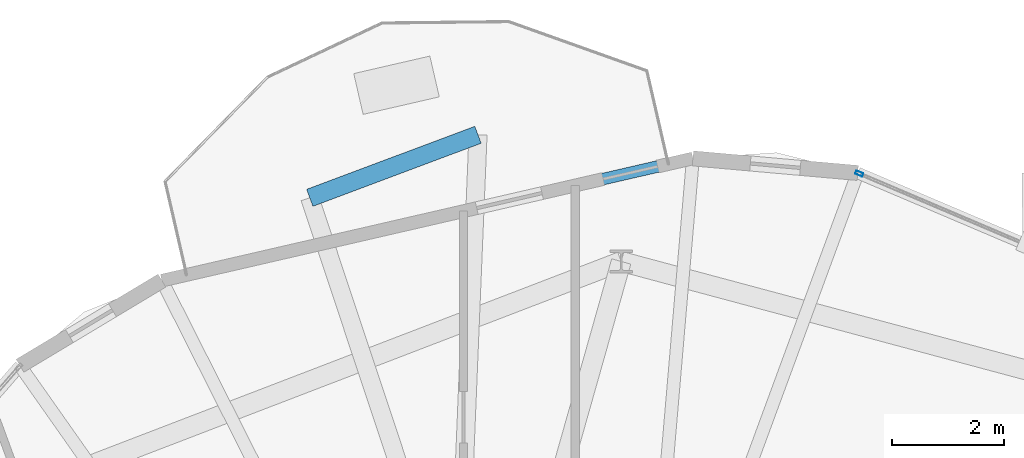
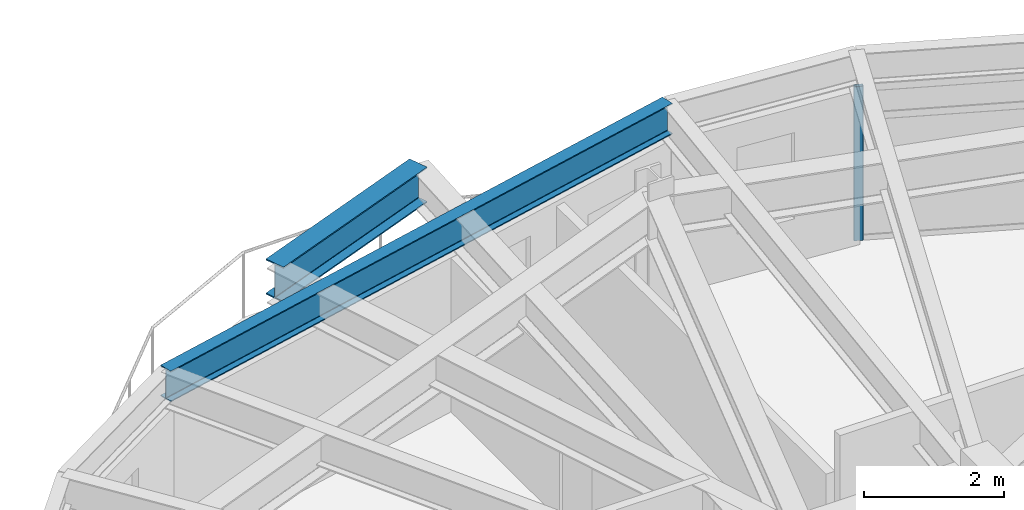
# One storey, part 18 of 27: 2 beams, 1 member, 1 element without a shape of its own.
"""IFC4 building model written with IfcOpenShell, lengths in metres."""

import ifcopenshell
import ifcopenshell.guid

model = None  # the IFC model being written
_history = None  # IfcOwnerHistory: only IFC2X3 demands one
_inside = {}  # id of a spatial element -> (the spatial element, [elements in it])
_under = {}  # id of a project, library or spatial element -> (it, [spatial elements below it])
_declared = {}  # id of a project -> (the project, [libraries it declares])
_typed = {}  # id of a type object -> (the type object, [elements of that type])
_made_of = {}  # id of a material, layer set ... -> (it, [elements and type objects made of it])


def new_model(schema):
    """Start an empty IFC model of exactly this schema.

    Asked for "IFC4X3", IfcOpenShell would pick the latest addendum, in which some entities
    have other attributes; the version numbers below select the first issue.
    IFC2X3 requires an IfcOwnerHistory on every rooted entity: one is made here for all.
    """
    global model, _history
    if schema == "IFC4X3":
        model = ifcopenshell.file(schema_version=(4, 3, 0, 0))
    else:
        model = ifcopenshell.file(schema=schema)
    _inside.clear()
    _under.clear()
    _declared.clear()
    _typed.clear()
    _made_of.clear()
    _history = None
    if model.schema == "IFC2X3":
        org = make("IfcOrganization", Name="unknown")
        user = make(
            "IfcPersonAndOrganization",
            ThePerson=make("IfcPerson", FamilyName="unknown"),
            TheOrganization=org,
        )
        app = make(
            "IfcApplication",
            ApplicationDeveloper=org,
            Version="unknown",
            ApplicationFullName="unknown",
            ApplicationIdentifier="unknown",
        )
        _history = make(
            "IfcOwnerHistory",
            OwningUser=user,
            OwningApplication=app,
            ChangeAction="ADDED",
            CreationDate=0,
        )
    return model


def make(cls, **values):
    """One entity of the class cls with the attributes given. An attribute that is None is left unset."""
    return model.create_entity(
        cls, **{name: value for name, value in values.items() if value is not None}
    )


def rooted(cls, **values):
    """An entity with a GlobalId (a new one), such as an element, a storey or a relation."""
    return make(cls, GlobalId=ifcopenshell.guid.new(), OwnerHistory=_history, **values)


def si_unit(unit_type, name, prefix=None):
    """IfcSIUnit, for example si_unit("LENGTHUNIT", "METRE", prefix="MILLI")."""
    return make("IfcSIUnit", UnitType=unit_type, Prefix=prefix, Name=name)


def assignment(units):
    """IfcUnitAssignment: the units of a project."""
    return None if units is None else make("IfcUnitAssignment", Units=units)


def point(xyz):
    """IfcCartesianPoint."""
    return None if xyz is None else make("IfcCartesianPoint", Coordinates=xyz)


def direction(xyz):
    """IfcDirection."""
    return None if xyz is None else make("IfcDirection", DirectionRatios=xyz)


def frame(location, z_axis=None, x_axis=None):
    """IfcAxis2Placement3D, a coordinate frame: its origin and axes. An axis left out is left unset."""
    return make(
        "IfcAxis2Placement3D",
        Location=point(location),
        Axis=direction(z_axis),
        RefDirection=direction(x_axis),
    )


def frame_2d(location, x_axis=None):
    """IfcAxis2Placement2D, a coordinate frame in the plane: its origin and x axis."""
    return make(
        "IfcAxis2Placement2D", Location=point(location), RefDirection=direction(x_axis)
    )


def origin():
    """The frame at (0, 0, 0) with its axes left unset."""
    return frame((0.0, 0.0, 0.0))


def origin_2d():
    """The frame at (0, 0) in the plane with its x axis left unset."""
    return frame_2d((0.0, 0.0))


def place(relative_to, where):
    """IfcLocalPlacement: puts the frame where relative to a parent placement (None: the world)."""
    return make(
        "IfcLocalPlacement", PlacementRelTo=relative_to, RelativePlacement=where
    )


def context(
    kind, dimensions, precision=None, world=None, true_north=None, identifier=None
):
    """IfcGeometricRepresentationContext, for example the 3D "Model" context."""
    return make(
        "IfcGeometricRepresentationContext",
        ContextIdentifier=identifier,
        ContextType=kind,
        CoordinateSpaceDimension=dimensions,
        Precision=precision,
        WorldCoordinateSystem=world,
        TrueNorth=true_north,
    )


def subcontext(parent, identifier, kind, view, scale=None):
    """IfcGeometricRepresentationSubContext, for example "Body" below "Model"."""
    return make(
        "IfcGeometricRepresentationSubContext",
        ContextIdentifier=identifier,
        ContextType=kind,
        ParentContext=parent,
        TargetScale=scale,
        TargetView=view,
    )


def project(units=None, contexts=None):
    """IfcProject with its units and contexts."""
    return rooted(
        "IfcProject",
        Name="project",
        RepresentationContexts=contexts,
        UnitsInContext=assignment(units),
    )


def spatial(cls, under=None, at=None, **own):
    """A site, building, storey or space (cls), placed at a placement, below another one or the project."""
    s = rooted(cls, ObjectPlacement=at, **own)
    if under is not None:
        _under.setdefault(under.id(), (under, []))[1].append(s)
    return s


def profile(cls, at=None, kind="AREA", **sizes):
    """A parametric profile (cls). Its sizes go by their IFC names, for example OverallWidth=200.0."""
    return make(cls, ProfileType=kind, Position=at, **sizes)


def hollow_rectangle(**sizes):
    """IfcRectangleHollowProfileDef."""
    return profile("IfcRectangleHollowProfileDef", **sizes)


def i_section(**sizes):
    """IfcIShapeProfileDef."""
    return profile("IfcIShapeProfileDef", **sizes)


def extrude(swept, where, along, depth):
    """IfcExtrudedAreaSolid: the profile swept, set in the frame where, extruded along a direction by depth."""
    return make(
        "IfcExtrudedAreaSolid",
        SweptArea=swept,
        Position=where,
        ExtrudedDirection=direction(along),
        Depth=depth,
    )


def shape(context_of_items, identifier, shape_type, items):
    """IfcShapeRepresentation: the items that make up one representation, for example the "Body"."""
    return make(
        "IfcShapeRepresentation",
        ContextOfItems=context_of_items,
        RepresentationIdentifier=identifier,
        RepresentationType=shape_type,
        Items=items,
    )


def material(Name=None, Category=None):
    """IfcMaterial."""
    return make("IfcMaterial", Name=Name, Category=Category)


def layer(
    of_material, thickness, ventilated=None, Name=None, Category=None, Priority=None
):
    """IfcMaterialLayer: one layer of a wall or slab, of a material (None: an air gap)."""
    return make(
        "IfcMaterialLayer",
        Material=of_material,
        LayerThickness=thickness,
        IsVentilated=ventilated,
        Name=Name,
        Category=Category,
        Priority=Priority,
    )


def layer_set(layers, Name=None):
    """IfcMaterialLayerSet."""
    return make("IfcMaterialLayerSet", MaterialLayers=layers, LayerSetName=Name)


def material_profile(
    of_material, cross_section, Name=None, Category=None, Priority=None
):
    """IfcMaterialProfile: a cross section and its material."""
    return make(
        "IfcMaterialProfile",
        Name=Name,
        Material=of_material,
        Profile=cross_section,
        Priority=Priority,
        Category=Category,
    )


def profile_set(profiles, Name=None, composite=None):
    """IfcMaterialProfileSet."""
    return make(
        "IfcMaterialProfileSet",
        Name=Name,
        MaterialProfiles=profiles,
        CompositeProfile=composite,
    )


def made_of(thing, what):
    """Note that an element or type object is made of a material, layer set ...; save() writes the relation."""
    if what is not None:
        _made_of.setdefault(what.id(), (what, []))[1].append(thing)
    return thing


def type_object(cls, material=None, **own):
    """A type object (cls), such as IfcWallType, which elements share."""
    return made_of(rooted(cls, **own), material)


def element(
    cls,
    number,
    at=None,
    inside=None,
    cuts=None,
    type_object=None,
    material=None,
    context=None,
    identifier="Body",
    shape_type=None,
    held_by="IfcProductDefinitionShape",
    body=None,
    shapes=None,
    **own,
):
    """One element of the class cls, such as IfcWall. Its Tag is "e" and its number.

    at: its placement. inside: the storey or other place that contains it. cuts: it is an
    opening in that element (IfcRelVoidsElement). A single representation is given by context,
    identifier, shape_type and body (its items); several are given by shapes. held_by: the class
    of the entity that holds the representations. save() writes the other relations.
    """
    e = rooted(cls, Tag="e%d" % number, ObjectPlacement=at, **own)
    if body is not None:
        shapes = [shape(context, identifier, shape_type, body)]
    if shapes is not None:
        e.Representation = make(held_by, Representations=shapes)
    if inside is not None:
        _inside.setdefault(inside.id(), (inside, []))[1].append(e)
    if cuts is not None:
        rooted(
            "IfcRelVoidsElement", RelatingBuildingElement=cuts, RelatedOpeningElement=e
        )
    if type_object is not None:
        _typed.setdefault(type_object.id(), (type_object, []))[1].append(e)
    return made_of(e, material)


def aggregate(whole, parts):
    """IfcRelAggregates: a whole, such as a stair, and the parts it consists of."""
    return rooted("IfcRelAggregates", RelatingObject=whole, RelatedObjects=parts)


def save(model, path):
    """Write the relations noted so far, then the file.

    IfcRelAggregates (storeys below a building ...), IfcRelContainedInSpatialStructure (elements
    in a storey), IfcRelDefinesByType, IfcRelAssociatesMaterial and IfcRelDeclares: one each for
    every whole, place, type object, material and project.
    """
    for whole, parts in _under.values():
        aggregate(whole, parts)
    for where, things in _inside.values():
        rooted(
            "IfcRelContainedInSpatialStructure",
            RelatedElements=things,
            RelatingStructure=where,
        )
    for kind, things in _typed.values():
        rooted("IfcRelDefinesByType", RelatedObjects=things, RelatingType=kind)
    for what, things in _made_of.values():
        rooted("IfcRelAssociatesMaterial", RelatedObjects=things, RelatingMaterial=what)
    for by, libraries in _declared.values():
        rooted("IfcRelDeclares", RelatingContext=by, RelatedDefinitions=libraries)
    model.write(path)


model = new_model("IFC4")

# Units and contexts
model_context = context("Model", 3, precision=1e-05, world=origin(), true_north=direction((0.0, 1.0)))
body_context = subcontext(model_context, "Body", "Model", "MODEL_VIEW")
ifc_project = project(units=[si_unit("LENGTHUNIT", "METRE"), si_unit("AREAUNIT", "SQUARE_METRE"), si_unit("VOLUMEUNIT", "CUBIC_METRE"), si_unit("PLANEANGLEUNIT", "RADIAN"), si_unit("MASSUNIT", "GRAM", prefix="KILO")], contexts=[model_context])

# Site, building, storey
site_placement = place(None, origin())
site = spatial("IfcSite", under=ifc_project, at=site_placement, CompositionType="ELEMENT")
building_placement = place(site_placement, origin())
building = spatial("IfcBuilding", under=site, at=building_placement, Name="Soratama Intermodal Tower", CompositionType="ELEMENT")
storey_placement = place(building_placement, frame((0.0, 0.0, 212.199951171875)))
storey = spatial("IfcBuildingStorey", under=building, at=storey_placement, Name="L53", CompositionType="ELEMENT", Elevation=212.199951171875)

# Beams
ifc_material_1 = material(Name="Structural steel ASTM A992 Grade 50", Category="steel")
ifc_material_profile_1 = material_profile(ifc_material_1, i_section(OverallWidth=0.324951171875, OverallDepth=0.615966796875, WebThickness=0.013916015625, FlangeThickness=0.021484375, FilletRadius=0.013916015625, at=origin_2d()), Name="W24X117")
ifc_profile_set_1 = profile_set([ifc_material_profile_1], Name="Structural steel ASTM A992 Grade 50")
beam_type_1 = type_object("IfcBeamType", Name="BM-CANT-W24X117", PredefinedType="BEAM", material=ifc_profile_set_1)
beam_1_placement = place(storey_placement, frame((41.458984375, 45.845947265625, 2.991943359375), z_axis=(-0.936438169224, -0.350832659853, 0.0), x_axis=(0.350832659853, -0.936438169224, 0.0)))
element("IfcBeam", 1, at=beam_1_placement, inside=storey, type_object=beam_type_1, Name="BM-L53-CBHDR-1", PredefinedType="BEAM", context=body_context, shape_type="SweptSolid", body=[
    extrude(i_section(OverallWidth=0.324951171875, OverallDepth=0.615966796875, WebThickness=0.013916015625, FlangeThickness=0.021484375, FilletRadius=0.013916015625, at=origin_2d()), origin(), (0.0, 0.0, 1.0), 3.220458984375),
])
ifc_material_2 = material(Name="Structural steel ASTM A992 Grade 50", Category="steel")
ifc_material_profile_2 = material_profile(ifc_material_2, i_section(OverallWidth=0.2099609375, OverallDepth=0.537109375, WebThickness=0.010986328125, FlangeThickness=0.017333984375, FilletRadius=0.012939453125, at=origin_2d()), Name="W21X68")
ifc_profile_set_2 = profile_set([ifc_material_profile_2], Name="Structural steel ASTM A992 Grade 50")
beam_type_2 = type_object("IfcBeamType", Name="BM-SPN-W21X68", PredefinedType="SPANDREL", material=ifc_profile_set_2)
beam_2_placement = place(storey_placement, frame((45.31201171875, 45.423095703125, 3.031494140625), z_axis=(-0.974520344766, -0.22429912536, 0.0), x_axis=(0.22429912536, -0.974520344766, 0.0)))
element("IfcBeam", 2, at=beam_2_placement, inside=storey, type_object=beam_type_2, Name="BS-L53-F02", PredefinedType="SPANDREL", context=body_context, shape_type="SweptSolid", body=[
    extrude(i_section(OverallWidth=0.2099609375, OverallDepth=0.537109375, WebThickness=0.010986328125, FlangeThickness=0.017333984375, FilletRadius=0.012939453125, at=origin_2d()), origin(), (0.0, 0.0, 1.0), 9.76904296875),
])

# Curtain wall, member
ifc_material_3 = material(Name="Double-glazed aluminium curtain wall", Category="aluminium")
ifc_layer = layer(ifc_material_3, 0.159912109375)
ifc_layer_set = layer_set([ifc_layer], Name="Double-glazed aluminium curtain wall")
curtain_wall_type = type_object("IfcCurtainWallType", Name="CW-SYS-5", PredefinedType="NOTDEFINED", material=ifc_layer_set)
curtain_wall_placement = place(storey_placement, origin())
curtain_wall = element("IfcCurtainWall", 3, at=curtain_wall_placement, inside=storey, type_object=curtain_wall_type, Name="L53 Faceted Curtain Wall F01", PredefinedType="NOTDEFINED")
ifc_material_4 = material(Name="Anodised aluminium AA 6063-T6", Category="aluminium")
ifc_material_profile_3 = material_profile(ifc_material_4, hollow_rectangle(XDim=0.06494140625, YDim=0.139892578125, WallThickness=0.0048828125, InnerFilletRadius=0.0048828125, OuterFilletRadius=0.010009765625, at=origin_2d()), Name="CWM140X65X5")
ifc_profile_set_3 = profile_set([ifc_material_profile_3], Name="Anodised aluminium AA 6063-T6")
member_type = type_object("IfcMemberType", Name="MT-CWM-5", PredefinedType="MULLION", material=ifc_profile_set_3)
member_placement = place(storey_placement, frame((48.294921875, 45.150634765625, 0.0), z_axis=(0.0, 0.0, 1.0), x_axis=(-0.391376465221, -0.920230657211, 0.0)))
member = element("IfcMember", 4, at=member_placement, type_object=member_type, Name="CW-5 mullion 3", PredefinedType="MULLION", context=body_context, shape_type="SweptSolid", body=[
    extrude(hollow_rectangle(XDim=0.06494140625, YDim=0.139892578125, WallThickness=0.0048828125, InnerFilletRadius=0.0048828125, OuterFilletRadius=0.010009765625, at=origin_2d()), origin(), (0.0, 0.0, 1.0), 2.678955078125),
])
aggregate(curtain_wall, [member])

save(model, "model.ifc")
